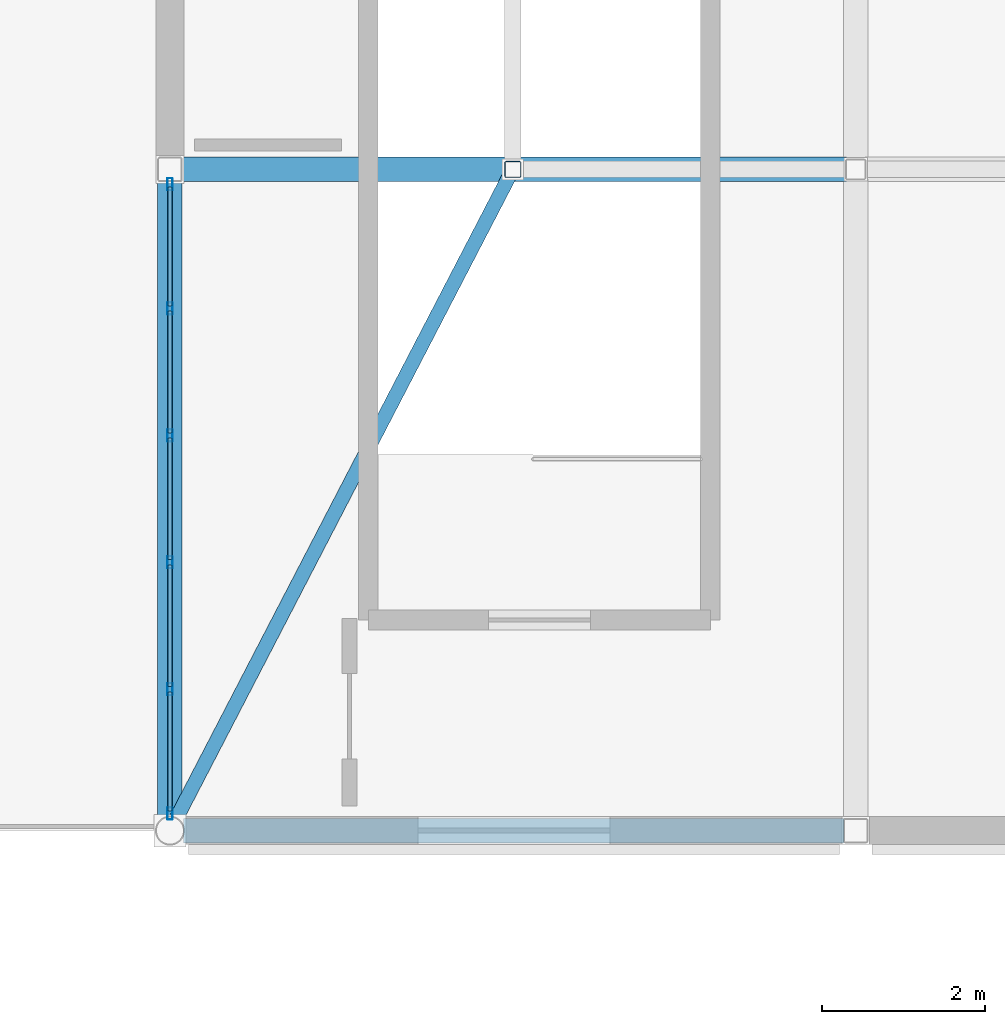
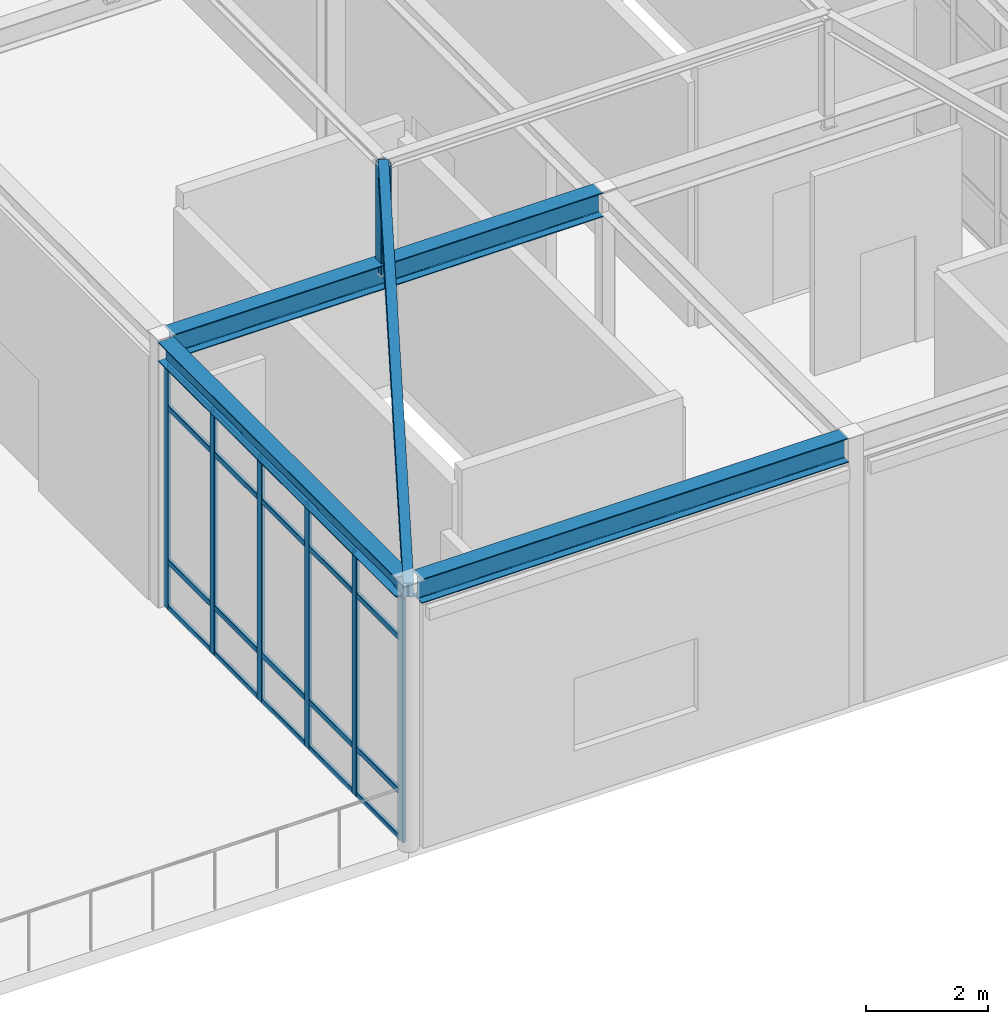
# One storey, part 47 of 121: 27 members, 4 beams, 1 element without a shape of its own.
"""IFC4 building model written with IfcOpenShell, lengths in metres."""

from ifc_helpers import new_model, si_unit, direction, frame, origin, origin_2d, place, context, subcontext, project, spatial, hollow_rectangle, i_section, extrude, material, material_profile, profile_set, type_object, element, aggregate, save


model = new_model("IFC4")

# Units and contexts
model_context = context("Model", 3, precision=1e-05, world=origin(), true_north=direction((0.0, 1.0)))
body_context = subcontext(model_context, "Body", "Model", "MODEL_VIEW")
ifc_project = project(units=[si_unit("LENGTHUNIT", "METRE"), si_unit("AREAUNIT", "SQUARE_METRE"), si_unit("VOLUMEUNIT", "CUBIC_METRE"), si_unit("PLANEANGLEUNIT", "RADIAN"), si_unit("MASSUNIT", "GRAM", prefix="KILO")], contexts=[model_context])

# Site, building, storey
site_placement = place(None, origin())
site = spatial("IfcSite", under=ifc_project, at=site_placement, CompositionType="ELEMENT")
building_placement = place(site_placement, origin())
building = spatial("IfcBuilding", under=site, at=building_placement, Name="Canglan Escarpment Cableway Terminal", CompositionType="ELEMENT")
storey_placement = place(building_placement, frame((0.0, 0.0, 24.60009765625)))
storey = spatial("IfcBuildingStorey", under=building, at=storey_placement, Name="L05", CompositionType="ELEMENT", Elevation=24.60009765625)

# Beams
ifc_material_1 = material(Name="Steel Q355B", Category="steel")
ifc_material_profile_1 = material_profile(ifc_material_1, i_section(OverallWidth=0.175048828125, OverallDepth=0.35009765625, WebThickness=0.007080078125, FlangeThickness=0.010986328125, FilletRadius=0.013916015625, at=origin_2d()), Name="HN 350x175x7x11")
ifc_profile_set_1 = profile_set([ifc_material_profile_1], Name="Steel Q355B")
beam_type_1 = type_object("IfcBeamType", Name="BM-HIP-RAFTER-HN350", PredefinedType="BEAM", material=ifc_profile_set_1)
beam_1_placement = place(storey_placement, frame((119.89990234375, 88.89990234375, 5.139892578125), z_axis=(0.448600500481, 0.865128307658, 0.22430025024), x_axis=(-0.887748051797, 0.460329660712, 0.0)))
element("IfcBeam", 1, at=beam_1_placement, inside=storey, type_object=beam_type_1, Name="Drive House hip rafter RF-B1", PredefinedType="BEAM", context=body_context, shape_type="SweptSolid", body=[
    extrude(i_section(OverallWidth=0.175048828125, OverallDepth=0.35009765625, WebThickness=0.007080078125, FlangeThickness=0.010986328125, FilletRadius=0.013916015625, at=origin_2d()), origin(), (0.0, 0.0, 1.0), 9.36279296875),
])
ifc_material_profile_2 = material_profile(ifc_material_1, i_section(OverallWidth=0.300048828125, OverallDepth=0.389892578125, WebThickness=0.010009765625, FlangeThickness=0.01611328125, FilletRadius=0.02197265625, at=origin_2d()), Name="HM 390x300x10x16")
ifc_profile_set_2 = profile_set([ifc_material_profile_2], Name="Steel Q355B")
beam_type_2 = type_object("IfcBeamType", Name="BM-HM390", PredefinedType="BEAM", material=ifc_profile_set_2)
beam_2_placement = place(storey_placement, frame((119.89990234375, 89.06787109375, 5.139892578125), z_axis=(0.0, 1.0, 0.0), x_axis=(-1.0, 0.0, 0.0)))
element("IfcBeam", 2, at=beam_2_placement, inside=storey, type_object=beam_type_2, Name="Drive House roof transverse tie girder B-11", PredefinedType="BEAM", context=body_context, shape_type="SweptSolid", body=[
    extrude(i_section(OverallWidth=0.300048828125, OverallDepth=0.389892578125, WebThickness=0.010009765625, FlangeThickness=0.01611328125, FilletRadius=0.02197265625, at=origin_2d()), origin(), (0.0, 0.0, 1.0), 7.792236328125),
])
ifc_material_profile_3 = material_profile(ifc_material_1, i_section(OverallWidth=0.300048828125, OverallDepth=0.488037109375, WebThickness=0.010986328125, FlangeThickness=0.01806640625, FilletRadius=0.02587890625, at=origin_2d()), Name="HM 488x300x11x18")
ifc_profile_set_3 = profile_set([ifc_material_profile_3], Name="Steel Q355B")
beam_type_3 = type_object("IfcBeamType", Name="BM-HM488", PredefinedType="BEAM", material=ifc_profile_set_3)
beam_3_placement = place(storey_placement, frame((120.06787109375, 88.89990234375, 5.139892578125), z_axis=(1.0, 0.0, 0.0), x_axis=(0.0, 1.0, 0.0)))
element("IfcBeam", 3, at=beam_3_placement, inside=storey, type_object=beam_type_3, Name="Drive House roof eave tie girder B-09", PredefinedType="BEAM", context=body_context, shape_type="SweptSolid", body=[
    extrude(i_section(OverallWidth=0.300048828125, OverallDepth=0.488037109375, WebThickness=0.010986328125, FlangeThickness=0.01806640625, FilletRadius=0.02587890625, at=origin_2d()), origin(), (0.0, 0.0, 1.0), 8.092041015625),
])
beam_4_placement = place(storey_placement, frame((120.0400390625, 97.0, 5.139892578125), z_axis=(1.0, 0.0, 0.0), x_axis=(0.0, 1.0, 0.0)))
element("IfcBeam", 4, at=beam_4_placement, inside=storey, type_object=beam_type_3, Name="Drive House roof eave tie girder B-09", PredefinedType="BEAM", context=body_context, shape_type="SweptSolid", body=[
    extrude(i_section(OverallWidth=0.300048828125, OverallDepth=0.488037109375, WebThickness=0.010986328125, FlangeThickness=0.01806640625, FilletRadius=0.02587890625, at=origin_2d()), origin(), (0.0, 0.0, 1.0), 8.14501953125),
])

# Curtain wall, members
ifc_material_2 = material(Name="Anodized bronze aluminium and Low-E double glazing", Category="aluminium")
curtain_wall_type = type_object("IfcCurtainWallType", Name="CW-BAY-7775x4875", PredefinedType="NOTDEFINED", material=ifc_material_2)
curtain_wall_placement = place(storey_placement, origin())
curtain_wall = element("IfcCurtainWall", 5, at=curtain_wall_placement, inside=storey, type_object=curtain_wall_type, Name="Classical bay-between-piers glazed curtain wall CW-60", PredefinedType="NOTDEFINED")
ifc_material_3 = material(Name="Thermally broken anodized aluminium 6063-T6", Category="aluminium")
ifc_material_profile_4 = material_profile(ifc_material_3, hollow_rectangle(XDim=0.06494140625, YDim=0.14990234375, WallThickness=0.00341796875, InnerFilletRadius=0.00341796875, OuterFilletRadius=0.007080078125, at=origin_2d()), Name="ALU-MULL 65x150x3.5")
ifc_profile_set_4 = profile_set([ifc_material_profile_4], Name="Thermally broken anodized aluminium 6063-T6")
member_type_1 = type_object("IfcMemberType", Name="CWM-02", PredefinedType="MULLION", material=ifc_profile_set_4)
member_1_placement = place(storey_placement, frame((119.89990234375, 96.8173828125, 0.0), z_axis=(0.0, 0.0, 1.0), x_axis=(1.0, 0.0, 0.0)))
member_1 = element("IfcMember", 6, at=member_1_placement, type_object=member_type_1, Name="CW-60 mullion 1", PredefinedType="MULLION", context=body_context, shape_type="SweptSolid", body=[
    extrude(hollow_rectangle(XDim=0.06494140625, YDim=0.14990234375, WallThickness=0.00341796875, InnerFilletRadius=0.00341796875, OuterFilletRadius=0.007080078125, at=origin_2d()), origin(), (0.0, 0.0, 1.0), 4.880859375),
])
member_2_placement = place(storey_placement, frame((119.89990234375, 95.295654296875, 0.0), z_axis=(0.0, 0.0, 1.0), x_axis=(1.0, 0.0, 0.0)))
member_2 = element("IfcMember", 7, at=member_2_placement, type_object=member_type_1, Name="CW-60 mullion 2", PredefinedType="MULLION", context=body_context, shape_type="SweptSolid", body=[
    extrude(hollow_rectangle(XDim=0.06494140625, YDim=0.14990234375, WallThickness=0.00341796875, InnerFilletRadius=0.00341796875, OuterFilletRadius=0.007080078125, at=origin_2d()), origin(), (0.0, 0.0, 1.0), 4.880859375),
])
member_3_placement = place(storey_placement, frame((119.89990234375, 93.7412109375, 0.0), z_axis=(0.0, 0.0, 1.0), x_axis=(1.0, 0.0, 0.0)))
member_3 = element("IfcMember", 8, at=member_3_placement, type_object=member_type_1, Name="CW-60 mullion 3", PredefinedType="MULLION", context=body_context, shape_type="SweptSolid", body=[
    extrude(hollow_rectangle(XDim=0.06494140625, YDim=0.14990234375, WallThickness=0.00341796875, InnerFilletRadius=0.00341796875, OuterFilletRadius=0.007080078125, at=origin_2d()), origin(), (0.0, 0.0, 1.0), 4.880859375),
])
member_4_placement = place(storey_placement, frame((119.89990234375, 92.186767578125, 0.0), z_axis=(0.0, 0.0, 1.0), x_axis=(1.0, 0.0, 0.0)))
member_4 = element("IfcMember", 9, at=member_4_placement, type_object=member_type_1, Name="CW-60 mullion 4", PredefinedType="MULLION", context=body_context, shape_type="SweptSolid", body=[
    extrude(hollow_rectangle(XDim=0.06494140625, YDim=0.14990234375, WallThickness=0.00341796875, InnerFilletRadius=0.00341796875, OuterFilletRadius=0.007080078125, at=origin_2d()), origin(), (0.0, 0.0, 1.0), 4.880859375),
])
member_5_placement = place(storey_placement, frame((119.89990234375, 90.63232421875, 0.0), z_axis=(0.0, 0.0, 1.0), x_axis=(1.0, 0.0, 0.0)))
member_5 = element("IfcMember", 10, at=member_5_placement, type_object=member_type_1, Name="CW-60 mullion 5", PredefinedType="MULLION", context=body_context, shape_type="SweptSolid", body=[
    extrude(hollow_rectangle(XDim=0.06494140625, YDim=0.14990234375, WallThickness=0.00341796875, InnerFilletRadius=0.00341796875, OuterFilletRadius=0.007080078125, at=origin_2d()), origin(), (0.0, 0.0, 1.0), 4.880859375),
])
member_6_placement = place(storey_placement, frame((119.89990234375, 89.1103515625, 0.0), z_axis=(0.0, 0.0, 1.0), x_axis=(1.0, 0.0, 0.0)))
member_6 = element("IfcMember", 11, at=member_6_placement, type_object=member_type_1, Name="CW-60 mullion 6", PredefinedType="MULLION", context=body_context, shape_type="SweptSolid", body=[
    extrude(hollow_rectangle(XDim=0.06494140625, YDim=0.14990234375, WallThickness=0.00341796875, InnerFilletRadius=0.00341796875, OuterFilletRadius=0.007080078125, at=origin_2d()), origin(), (0.0, 0.0, 1.0), 4.880859375),
])
ifc_material_profile_5 = material_profile(ifc_material_3, hollow_rectangle(XDim=0.06005859375, YDim=0.110107421875, WallThickness=0.0029296875, InnerFilletRadius=0.0029296875, OuterFilletRadius=0.006103515625, at=origin_2d()), Name="ALU-TRAN 60x110x3")
ifc_profile_set_5 = profile_set([ifc_material_profile_5], Name="Thermally broken anodized aluminium 6063-T6")
member_type_2 = type_object("IfcMemberType", Name="CWT-02", PredefinedType="USERDEFINED", material=ifc_profile_set_5)
member_7_placement = place(storey_placement, frame((119.89990234375, 96.784912109375, 0.02978515625), z_axis=(0.0, -1.0, 0.0), x_axis=(1.0, 0.0, 0.0)))
member_7 = element("IfcMember", 12, at=member_7_placement, type_object=member_type_2, Name="CW-60 transom 1.1", ObjectType="TRANSOM", PredefinedType="USERDEFINED", context=body_context, shape_type="SweptSolid", body=[
    extrude(hollow_rectangle(XDim=0.06005859375, YDim=0.110107421875, WallThickness=0.0029296875, InnerFilletRadius=0.0029296875, OuterFilletRadius=0.006103515625, at=origin_2d()), origin(), (0.0, 0.0, 1.0), 1.456787109375),
])
member_8_placement = place(storey_placement, frame((119.89990234375, 96.784912109375, 0.949951171875), z_axis=(0.0, -1.0, 0.0), x_axis=(1.0, 0.0, 0.0)))
member_8 = element("IfcMember", 13, at=member_8_placement, type_object=member_type_2, Name="CW-60 transom 1.2", ObjectType="TRANSOM", PredefinedType="USERDEFINED", context=body_context, shape_type="SweptSolid", body=[
    extrude(hollow_rectangle(XDim=0.06005859375, YDim=0.110107421875, WallThickness=0.0029296875, InnerFilletRadius=0.0029296875, OuterFilletRadius=0.006103515625, at=origin_2d()), origin(), (0.0, 0.0, 1.0), 1.456787109375),
])
member_9_placement = place(storey_placement, frame((119.89990234375, 96.784912109375, 4.031005859375), z_axis=(0.0, -1.0, 0.0), x_axis=(1.0, 0.0, 0.0)))
member_9 = element("IfcMember", 14, at=member_9_placement, type_object=member_type_2, Name="CW-60 transom 1.3", ObjectType="TRANSOM", PredefinedType="USERDEFINED", context=body_context, shape_type="SweptSolid", body=[
    extrude(hollow_rectangle(XDim=0.06005859375, YDim=0.110107421875, WallThickness=0.0029296875, InnerFilletRadius=0.0029296875, OuterFilletRadius=0.006103515625, at=origin_2d()), origin(), (0.0, 0.0, 1.0), 1.456787109375),
])
member_10_placement = place(storey_placement, frame((119.89990234375, 96.784912109375, 4.850830078125), z_axis=(0.0, -1.0, 0.0), x_axis=(1.0, 0.0, 0.0)))
member_10 = element("IfcMember", 15, at=member_10_placement, type_object=member_type_2, Name="CW-60 transom 1.4", ObjectType="TRANSOM", PredefinedType="USERDEFINED", context=body_context, shape_type="SweptSolid", body=[
    extrude(hollow_rectangle(XDim=0.06005859375, YDim=0.110107421875, WallThickness=0.0029296875, InnerFilletRadius=0.0029296875, OuterFilletRadius=0.006103515625, at=origin_2d()), origin(), (0.0, 0.0, 1.0), 1.456787109375),
])
member_11_placement = place(storey_placement, frame((119.89990234375, 95.262939453125, 0.02978515625), z_axis=(0.0, -1.0, 0.0), x_axis=(1.0, 0.0, 0.0)))
member_11 = element("IfcMember", 16, at=member_11_placement, type_object=member_type_2, Name="CW-60 transom 2.1", ObjectType="TRANSOM", PredefinedType="USERDEFINED", context=body_context, shape_type="SweptSolid", body=[
    extrude(hollow_rectangle(XDim=0.06005859375, YDim=0.110107421875, WallThickness=0.0029296875, InnerFilletRadius=0.0029296875, OuterFilletRadius=0.006103515625, at=origin_2d()), origin(), (0.0, 0.0, 1.0), 1.4892578125),
])
member_12_placement = place(storey_placement, frame((119.89990234375, 95.262939453125, 0.949951171875), z_axis=(0.0, -1.0, 0.0), x_axis=(1.0, 0.0, 0.0)))
member_12 = element("IfcMember", 17, at=member_12_placement, type_object=member_type_2, Name="CW-60 transom 2.2", ObjectType="TRANSOM", PredefinedType="USERDEFINED", context=body_context, shape_type="SweptSolid", body=[
    extrude(hollow_rectangle(XDim=0.06005859375, YDim=0.110107421875, WallThickness=0.0029296875, InnerFilletRadius=0.0029296875, OuterFilletRadius=0.006103515625, at=origin_2d()), origin(), (0.0, 0.0, 1.0), 1.4892578125),
])
member_13_placement = place(storey_placement, frame((119.89990234375, 95.262939453125, 4.031005859375), z_axis=(0.0, -1.0, 0.0), x_axis=(1.0, 0.0, 0.0)))
member_13 = element("IfcMember", 18, at=member_13_placement, type_object=member_type_2, Name="CW-60 transom 2.3", ObjectType="TRANSOM", PredefinedType="USERDEFINED", context=body_context, shape_type="SweptSolid", body=[
    extrude(hollow_rectangle(XDim=0.06005859375, YDim=0.110107421875, WallThickness=0.0029296875, InnerFilletRadius=0.0029296875, OuterFilletRadius=0.006103515625, at=origin_2d()), origin(), (0.0, 0.0, 1.0), 1.4892578125),
])
member_14_placement = place(storey_placement, frame((119.89990234375, 95.262939453125, 4.850830078125), z_axis=(0.0, -1.0, 0.0), x_axis=(1.0, 0.0, 0.0)))
member_14 = element("IfcMember", 19, at=member_14_placement, type_object=member_type_2, Name="CW-60 transom 2.4", ObjectType="TRANSOM", PredefinedType="USERDEFINED", context=body_context, shape_type="SweptSolid", body=[
    extrude(hollow_rectangle(XDim=0.06005859375, YDim=0.110107421875, WallThickness=0.0029296875, InnerFilletRadius=0.0029296875, OuterFilletRadius=0.006103515625, at=origin_2d()), origin(), (0.0, 0.0, 1.0), 1.4892578125),
])
member_15_placement = place(storey_placement, frame((119.89990234375, 93.708740234375, 0.02978515625), z_axis=(0.0, -1.0, 0.0), x_axis=(1.0, 0.0, 0.0)))
member_15 = element("IfcMember", 20, at=member_15_placement, type_object=member_type_2, Name="CW-60 transom 3.1", ObjectType="TRANSOM", PredefinedType="USERDEFINED", context=body_context, shape_type="SweptSolid", body=[
    extrude(hollow_rectangle(XDim=0.06005859375, YDim=0.110107421875, WallThickness=0.0029296875, InnerFilletRadius=0.0029296875, OuterFilletRadius=0.006103515625, at=origin_2d()), origin(), (0.0, 0.0, 1.0), 1.489501953125),
])
member_16_placement = place(storey_placement, frame((119.89990234375, 93.708740234375, 0.949951171875), z_axis=(0.0, -1.0, 0.0), x_axis=(1.0, 0.0, 0.0)))
member_16 = element("IfcMember", 21, at=member_16_placement, type_object=member_type_2, Name="CW-60 transom 3.2", ObjectType="TRANSOM", PredefinedType="USERDEFINED", context=body_context, shape_type="SweptSolid", body=[
    extrude(hollow_rectangle(XDim=0.06005859375, YDim=0.110107421875, WallThickness=0.0029296875, InnerFilletRadius=0.0029296875, OuterFilletRadius=0.006103515625, at=origin_2d()), origin(), (0.0, 0.0, 1.0), 1.489501953125),
])
member_17_placement = place(storey_placement, frame((119.89990234375, 93.708740234375, 4.031005859375), z_axis=(0.0, -1.0, 0.0), x_axis=(1.0, 0.0, 0.0)))
member_17 = element("IfcMember", 22, at=member_17_placement, type_object=member_type_2, Name="CW-60 transom 3.3", ObjectType="TRANSOM", PredefinedType="USERDEFINED", context=body_context, shape_type="SweptSolid", body=[
    extrude(hollow_rectangle(XDim=0.06005859375, YDim=0.110107421875, WallThickness=0.0029296875, InnerFilletRadius=0.0029296875, OuterFilletRadius=0.006103515625, at=origin_2d()), origin(), (0.0, 0.0, 1.0), 1.489501953125),
])
member_18_placement = place(storey_placement, frame((119.89990234375, 93.708740234375, 4.850830078125), z_axis=(0.0, -1.0, 0.0), x_axis=(1.0, 0.0, 0.0)))
member_18 = element("IfcMember", 23, at=member_18_placement, type_object=member_type_2, Name="CW-60 transom 3.4", ObjectType="TRANSOM", PredefinedType="USERDEFINED", context=body_context, shape_type="SweptSolid", body=[
    extrude(hollow_rectangle(XDim=0.06005859375, YDim=0.110107421875, WallThickness=0.0029296875, InnerFilletRadius=0.0029296875, OuterFilletRadius=0.006103515625, at=origin_2d()), origin(), (0.0, 0.0, 1.0), 1.489501953125),
])
member_19_placement = place(storey_placement, frame((119.89990234375, 92.154296875, 0.02978515625), z_axis=(0.0, -1.0, 0.0), x_axis=(1.0, 0.0, 0.0)))
member_19 = element("IfcMember", 24, at=member_19_placement, type_object=member_type_2, Name="CW-60 transom 4.1", ObjectType="TRANSOM", PredefinedType="USERDEFINED", context=body_context, shape_type="SweptSolid", body=[
    extrude(hollow_rectangle(XDim=0.06005859375, YDim=0.110107421875, WallThickness=0.0029296875, InnerFilletRadius=0.0029296875, OuterFilletRadius=0.006103515625, at=origin_2d()), origin(), (0.0, 0.0, 1.0), 1.489501953125),
])
member_20_placement = place(storey_placement, frame((119.89990234375, 92.154296875, 0.949951171875), z_axis=(0.0, -1.0, 0.0), x_axis=(1.0, 0.0, 0.0)))
member_20 = element("IfcMember", 25, at=member_20_placement, type_object=member_type_2, Name="CW-60 transom 4.2", ObjectType="TRANSOM", PredefinedType="USERDEFINED", context=body_context, shape_type="SweptSolid", body=[
    extrude(hollow_rectangle(XDim=0.06005859375, YDim=0.110107421875, WallThickness=0.0029296875, InnerFilletRadius=0.0029296875, OuterFilletRadius=0.006103515625, at=origin_2d()), origin(), (0.0, 0.0, 1.0), 1.489501953125),
])
member_21_placement = place(storey_placement, frame((119.89990234375, 92.154296875, 4.031005859375), z_axis=(0.0, -1.0, 0.0), x_axis=(1.0, 0.0, 0.0)))
member_21 = element("IfcMember", 26, at=member_21_placement, type_object=member_type_2, Name="CW-60 transom 4.3", ObjectType="TRANSOM", PredefinedType="USERDEFINED", context=body_context, shape_type="SweptSolid", body=[
    extrude(hollow_rectangle(XDim=0.06005859375, YDim=0.110107421875, WallThickness=0.0029296875, InnerFilletRadius=0.0029296875, OuterFilletRadius=0.006103515625, at=origin_2d()), origin(), (0.0, 0.0, 1.0), 1.489501953125),
])
member_22_placement = place(storey_placement, frame((119.89990234375, 92.154296875, 4.850830078125), z_axis=(0.0, -1.0, 0.0), x_axis=(1.0, 0.0, 0.0)))
member_22 = element("IfcMember", 27, at=member_22_placement, type_object=member_type_2, Name="CW-60 transom 4.4", ObjectType="TRANSOM", PredefinedType="USERDEFINED", context=body_context, shape_type="SweptSolid", body=[
    extrude(hollow_rectangle(XDim=0.06005859375, YDim=0.110107421875, WallThickness=0.0029296875, InnerFilletRadius=0.0029296875, OuterFilletRadius=0.006103515625, at=origin_2d()), origin(), (0.0, 0.0, 1.0), 1.489501953125),
])
member_23_placement = place(storey_placement, frame((119.89990234375, 90.599853515625, 0.02978515625), z_axis=(0.0, -1.0, 0.0), x_axis=(1.0, 0.0, 0.0)))
member_23 = element("IfcMember", 28, at=member_23_placement, type_object=member_type_2, Name="CW-60 transom 5.1", ObjectType="TRANSOM", PredefinedType="USERDEFINED", context=body_context, shape_type="SweptSolid", body=[
    extrude(hollow_rectangle(XDim=0.06005859375, YDim=0.110107421875, WallThickness=0.0029296875, InnerFilletRadius=0.0029296875, OuterFilletRadius=0.006103515625, at=origin_2d()), origin(), (0.0, 0.0, 1.0), 1.45703125),
])
member_24_placement = place(storey_placement, frame((119.89990234375, 90.599853515625, 0.949951171875), z_axis=(0.0, -1.0, 0.0), x_axis=(1.0, 0.0, 0.0)))
member_24 = element("IfcMember", 29, at=member_24_placement, type_object=member_type_2, Name="CW-60 transom 5.2", ObjectType="TRANSOM", PredefinedType="USERDEFINED", context=body_context, shape_type="SweptSolid", body=[
    extrude(hollow_rectangle(XDim=0.06005859375, YDim=0.110107421875, WallThickness=0.0029296875, InnerFilletRadius=0.0029296875, OuterFilletRadius=0.006103515625, at=origin_2d()), origin(), (0.0, 0.0, 1.0), 1.45703125),
])
member_25_placement = place(storey_placement, frame((119.89990234375, 90.599853515625, 4.031005859375), z_axis=(0.0, -1.0, 0.0), x_axis=(1.0, 0.0, 0.0)))
member_25 = element("IfcMember", 30, at=member_25_placement, type_object=member_type_2, Name="CW-60 transom 5.3", ObjectType="TRANSOM", PredefinedType="USERDEFINED", context=body_context, shape_type="SweptSolid", body=[
    extrude(hollow_rectangle(XDim=0.06005859375, YDim=0.110107421875, WallThickness=0.0029296875, InnerFilletRadius=0.0029296875, OuterFilletRadius=0.006103515625, at=origin_2d()), origin(), (0.0, 0.0, 1.0), 1.45703125),
])
member_26_placement = place(storey_placement, frame((119.89990234375, 90.599853515625, 4.850830078125), z_axis=(0.0, -1.0, 0.0), x_axis=(1.0, 0.0, 0.0)))
member_26 = element("IfcMember", 31, at=member_26_placement, type_object=member_type_2, Name="CW-60 transom 5.4", ObjectType="TRANSOM", PredefinedType="USERDEFINED", context=body_context, shape_type="SweptSolid", body=[
    extrude(hollow_rectangle(XDim=0.06005859375, YDim=0.110107421875, WallThickness=0.0029296875, InnerFilletRadius=0.0029296875, OuterFilletRadius=0.006103515625, at=origin_2d()), origin(), (0.0, 0.0, 1.0), 1.45703125),
])
aggregate(curtain_wall, [member_1, member_2, member_3, member_4, member_5, member_6, member_7, member_8, member_9, member_10, member_11, member_12, member_13, member_14, member_15, member_16, member_17, member_18, member_19, member_20, member_21, member_22, member_23, member_24, member_25, member_26])

# Member
ifc_material_profile_6 = material_profile(ifc_material_1, hollow_rectangle(XDim=0.199951171875, YDim=0.199951171875, WallThickness=0.008056640625, InnerFilletRadius=0.008056640625, OuterFilletRadius=0.01611328125, at=origin_2d()), Name="SHS 200x200x8")
ifc_profile_set_6 = profile_set([ifc_material_profile_6], Name="Steel Q355B")
member_type_3 = type_object("IfcMemberType", Name="MB-PRATT-WEB-SHS200", PredefinedType="BRACE", material=ifc_profile_set_6)
member_27_placement = place(storey_placement, frame((124.10009765625, 97.0, 5.139892578125), z_axis=(0.0, 0.0, 1.0), x_axis=(1.0, 0.0, 0.0)))
element("IfcMember", 32, at=member_27_placement, inside=storey, type_object=member_type_3, Name="Drive House lantern ROOF TRUSS strut PT-WB1", PredefinedType="BRACE", context=body_context, shape_type="SweptSolid", body=[
    extrude(hollow_rectangle(XDim=0.199951171875, YDim=0.199951171875, WallThickness=0.008056640625, InnerFilletRadius=0.008056640625, OuterFilletRadius=0.01611328125, at=origin_2d()), origin(), (0.0, 0.0, 1.0), 2.199951171875),
])

save(model, "model.ifc")
